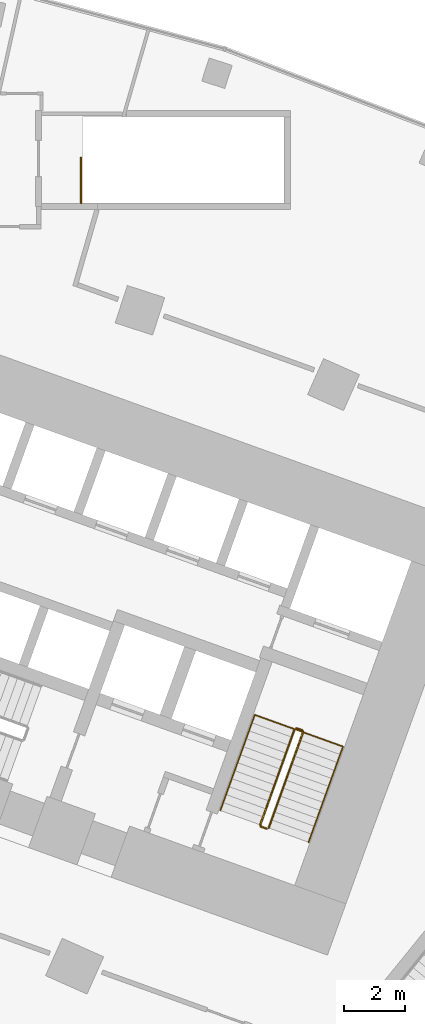
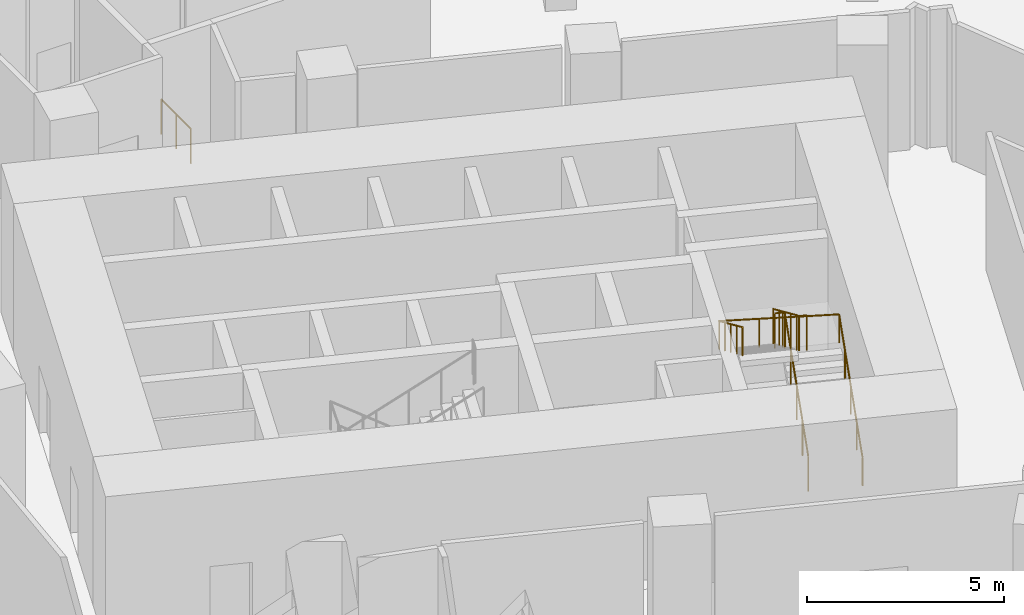
# One storey, part 33 of 33: 4 railings.
"""IFC4 building model written with IfcOpenShell, lengths in metres."""

from ifc_helpers import new_model, si_unit, direction, frame, origin, origin_2d, place, context, subcontext, project, spatial, circle, extrude, material, type_object, element, save


model = new_model("IFC4")

# Units and contexts
model_context = context("Model", 3, precision=1e-05, world=origin(), true_north=direction((0.0, 1.0)))
body_context = subcontext(model_context, "Body", "Model", "MODEL_VIEW")
ifc_project = project(units=[si_unit("LENGTHUNIT", "METRE"), si_unit("AREAUNIT", "SQUARE_METRE"), si_unit("VOLUMEUNIT", "CUBIC_METRE"), si_unit("PLANEANGLEUNIT", "RADIAN"), si_unit("MASSUNIT", "GRAM", prefix="KILO")], contexts=[model_context])

# Site, building, storey
site_placement = place(None, origin())
site = spatial("IfcSite", under=ifc_project, at=site_placement, CompositionType="ELEMENT")
building_placement = place(site_placement, origin())
building = spatial("IfcBuilding", under=site, at=building_placement, Name="Stone Belt Terrace Tower", CompositionType="ELEMENT")
storey_placement = place(building_placement, frame((0.0, 0.0, 25.39990234375)))
storey = spatial("IfcBuildingStorey", under=building, at=storey_placement, Name="L05", CompositionType="ELEMENT", Elevation=25.39990234375)

# Railings
ifc_material_1 = material(Name="Steel balustrade", Category="steel")
railing_type_1 = type_object("IfcRailingType", Name="Podium stair guard", PredefinedType="GUARDRAIL", material=ifc_material_1)
railing_1_placement = place(storey_placement, frame((18.2900390625, 65.824951171875, 0.0)))
element("IfcRailing", 1, at=railing_1_placement, inside=storey, type_object=railing_type_1, Name="L05 PS8 top well guard 1", PredefinedType="GUARDRAIL", context=body_context, shape_type="SweptSolid", body=[
    extrude(circle(Radius=0.02392578125, at=origin_2d()), frame((0.0, 0.0, 1.076171875), z_axis=(0.0, 1.0, 0.0), x_axis=(-1.0, 0.0, 0.0)), (0.0, 0.0, 1.0), 1.5),
    extrude(circle(Radius=0.02099609375, at=origin_2d()), origin(), (0.0, 0.0, 1.0), 1.052001953125),
    extrude(circle(Radius=0.02099609375, at=origin_2d()), frame((0.0, 0.75, 0.0)), (0.0, 0.0, 1.0), 1.052001953125),
    extrude(circle(Radius=0.02099609375, at=origin_2d()), frame((0.0, 1.5, 0.0)), (0.0, 0.0, 1.0), 1.052001953125),
])
ifc_material_2 = material(Name="Structural steel C345", Category="steel")
railing_type_2 = type_object("IfcRailingType", Name="Stair guard 1100", PredefinedType="GUARDRAIL", material=ifc_material_2)
railing_2_placement = place(storey_placement, frame((24.494140625, 45.174560546875, 0.177001953125)))
element("IfcRailing", 2, at=railing_2_placement, inside=storey, type_object=railing_type_2, Name="L05 ST1B stair guard 1", PredefinedType="GUARDRAIL", context=body_context, shape_type="SweptSolid", body=[
    extrude(circle(Radius=0.02392578125, at=origin_2d()), frame((0.0, 0.0, 1.076171875), z_axis=(0.286311103083, 0.795417823175, 0.534168923494), x_axis=(-0.940902231577, 0.338678299589, 0.0)), (0.0, 0.0, 1.0), 3.974365234375),
    extrude(circle(Radius=0.02392578125, at=origin_2d()), frame((1.137939453125, 3.161376953125, 3.19921875), z_axis=(-0.427789722475, 0.903878284585, 0.0), x_axis=(-0.903878284585, -0.427789722475, 0.0)), (0.0, 0.0, 1.0), 0.07080078125),
    extrude(circle(Radius=0.02392578125, at=origin_2d()), frame((1.107666015625, 3.225341796875, 3.19921875), z_axis=(-0.940575576748, 0.339584429008, 0.0), x_axis=(-0.339584429008, -0.940575576748, 0.0)), (0.0, 0.0, 1.0), 0.199951171875),
    extrude(circle(Radius=0.02099609375, at=origin_2d()), origin(), (0.0, 0.0, 1.0), 1.052001953125),
    extrude(circle(Radius=0.02099609375, at=origin_2d()), frame((0.284423828125, 0.790283203125, 0.53076171875)), (0.0, 0.0, 1.0), 1.052001953125),
    extrude(circle(Radius=0.02099609375, at=origin_2d()), frame((0.56884765625, 1.58056640625, 1.0615234375)), (0.0, 0.0, 1.0), 1.052001953125),
    extrude(circle(Radius=0.02099609375, at=origin_2d()), frame((0.853515625, 2.37109375, 1.59228515625)), (0.0, 0.0, 1.0), 1.052001953125),
    extrude(circle(Radius=0.02099609375, at=origin_2d()), frame((1.137939453125, 3.161376953125, 2.123046875)), (0.0, 0.0, 1.0), 1.052001953125),
    extrude(circle(Radius=0.02099609375, at=origin_2d()), frame((1.107666015625, 3.225341796875, 2.123046875)), (0.0, 0.0, 1.0), 1.052001953125),
    extrude(circle(Radius=0.02099609375, at=origin_2d()), frame((0.919677734375, 3.293212890625, 2.123046875)), (0.0, 0.0, 1.0), 1.052001953125),
])
railing_3_placement = place(storey_placement, frame((25.349853515625, 48.4375, 2.47705078125)))
element("IfcRailing", 3, at=railing_3_placement, inside=storey, type_object=railing_type_2, Name="L05 ST1B stair guard 2", PredefinedType="GUARDRAIL", context=body_context, shape_type="SweptSolid", body=[
    extrude(circle(Radius=0.02392578125, at=origin_2d()), frame((0.0, 0.0, 1.076171875), z_axis=(-0.286311103083, -0.795417823175, 0.534168923494), x_axis=(0.940902231577, -0.338678299589, 0.0)), (0.0, 0.0, 1.0), 3.974365234375),
    extrude(circle(Radius=0.02392578125, at=origin_2d()), frame((-1.137939453125, -3.161376953125, 3.19921875), z_axis=(0.427789722475, -0.903878284585, 0.0), x_axis=(0.903878284585, 0.427789722475, 0.0)), (0.0, 0.0, 1.0), 0.07080078125),
    extrude(circle(Radius=0.02392578125, at=origin_2d()), frame((-1.107666015625, -3.225341796875, 3.19921875), z_axis=(0.940575576748, -0.339584429008, 0.0), x_axis=(0.339584429008, 0.940575576748, 0.0)), (0.0, 0.0, 1.0), 0.199951171875),
    extrude(circle(Radius=0.02099609375, at=origin_2d()), origin(), (0.0, 0.0, 1.0), 1.052001953125),
    extrude(circle(Radius=0.02099609375, at=origin_2d()), frame((-0.284423828125, -0.790283203125, 0.53076171875)), (0.0, 0.0, 1.0), 1.052001953125),
    extrude(circle(Radius=0.02099609375, at=origin_2d()), frame((-0.56884765625, -1.58056640625, 1.0615234375)), (0.0, 0.0, 1.0), 1.052001953125),
    extrude(circle(Radius=0.02099609375, at=origin_2d()), frame((-0.853515625, -2.37109375, 1.59228515625)), (0.0, 0.0, 1.0), 1.052001953125),
    extrude(circle(Radius=0.02099609375, at=origin_2d()), frame((-1.137939453125, -3.161376953125, 2.123046875)), (0.0, 0.0, 1.0), 1.052001953125),
    extrude(circle(Radius=0.02099609375, at=origin_2d()), frame((-1.107666015625, -3.225341796875, 2.123046875)), (0.0, 0.0, 1.0), 1.052001953125),
    extrude(circle(Radius=0.02099609375, at=origin_2d()), frame((-0.919677734375, -3.293212890625, 2.123046875)), (0.0, 0.0, 1.0), 1.052001953125),
])
railing_type_3 = type_object("IfcRailingType", Name="Stair handrail 900", PredefinedType="HANDRAIL", material=ifc_material_2)
railing_4_placement = place(storey_placement, frame((25.8115234375, 44.700439453125, 0.177001953125)))
element("IfcRailing", 4, at=railing_4_placement, inside=storey, type_object=railing_type_3, Name="L05 ST1B stair handrail 1", PredefinedType="HANDRAIL", context=body_context, shape_type="SweptSolid", body=[
    extrude(circle(Radius=0.02392578125, at=origin_2d()), frame((0.0, 0.0, 0.8759765625), z_axis=(0.286254710043, 0.795431811234, 0.534178317283), x_axis=(-0.9409253847, 0.338613969627, 0.0)), (0.0, 0.0, 1.0), 3.974365234375),
    extrude(circle(Radius=0.02392578125, at=origin_2d()), frame((1.1376953125, 3.161376953125, 2.9990234375), z_axis=(-0.939380425775, 0.338104614617, 0.057006010604), x_axis=(-0.338655323994, -0.940910501339, 0.0)), (0.0, 0.0, 1.0), 3.10498046875),
    extrude(circle(Radius=0.02392578125, at=origin_2d()), frame((-1.779052734375, 4.211181640625, 3.17578125), z_axis=(-0.286254710043, -0.795431811234, 0.534178317283), x_axis=(0.9409253847, -0.338613969627, 0.0)), (0.0, 0.0, 1.0), 3.974365234375),
    extrude(circle(Radius=0.02099609375, at=origin_2d()), origin(), (0.0, 0.0, 1.0), 0.851806640625),
    extrude(circle(Radius=0.02099609375, at=origin_2d()), frame((0.284423828125, 0.790283203125, 0.53076171875)), (0.0, 0.0, 1.0), 0.851806640625),
    extrude(circle(Radius=0.02099609375, at=origin_2d()), frame((0.56884765625, 1.58056640625, 1.0615234375)), (0.0, 0.0, 1.0), 0.851806640625),
    extrude(circle(Radius=0.02099609375, at=origin_2d()), frame((0.853271484375, 2.37109375, 1.59228515625)), (0.0, 0.0, 1.0), 0.851806640625),
    extrude(circle(Radius=0.02099609375, at=origin_2d()), frame((1.1376953125, 3.161376953125, 2.123046875)), (0.0, 0.0, 1.0), 0.851806640625),
    extrude(circle(Radius=0.02099609375, at=origin_2d()), frame((0.16552734375, 3.51123046875, 2.18212890625)), (0.0, 0.0, 1.0), 0.851806640625),
    extrude(circle(Radius=0.02099609375, at=origin_2d()), frame((-0.806884765625, 3.861328125, 2.240966796875)), (0.0, 0.0, 1.0), 0.851806640625),
    extrude(circle(Radius=0.02099609375, at=origin_2d()), frame((-1.779052734375, 4.211181640625, 2.300048828125)), (0.0, 0.0, 1.0), 0.851806640625),
    extrude(circle(Radius=0.02099609375, at=origin_2d()), frame((-2.0634765625, 3.4208984375, 2.830810546875)), (0.0, 0.0, 1.0), 0.851806640625),
    extrude(circle(Radius=0.02099609375, at=origin_2d()), frame((-2.347900390625, 2.63037109375, 3.361572265625)), (0.0, 0.0, 1.0), 0.851806640625),
    extrude(circle(Radius=0.02099609375, at=origin_2d()), frame((-2.63232421875, 1.840087890625, 3.892333984375)), (0.0, 0.0, 1.0), 0.851806640625),
    extrude(circle(Radius=0.02099609375, at=origin_2d()), frame((-2.916748046875, 1.0498046875, 4.423095703125)), (0.0, 0.0, 1.0), 0.851806640625),
])

save(model, "model.ifc")
